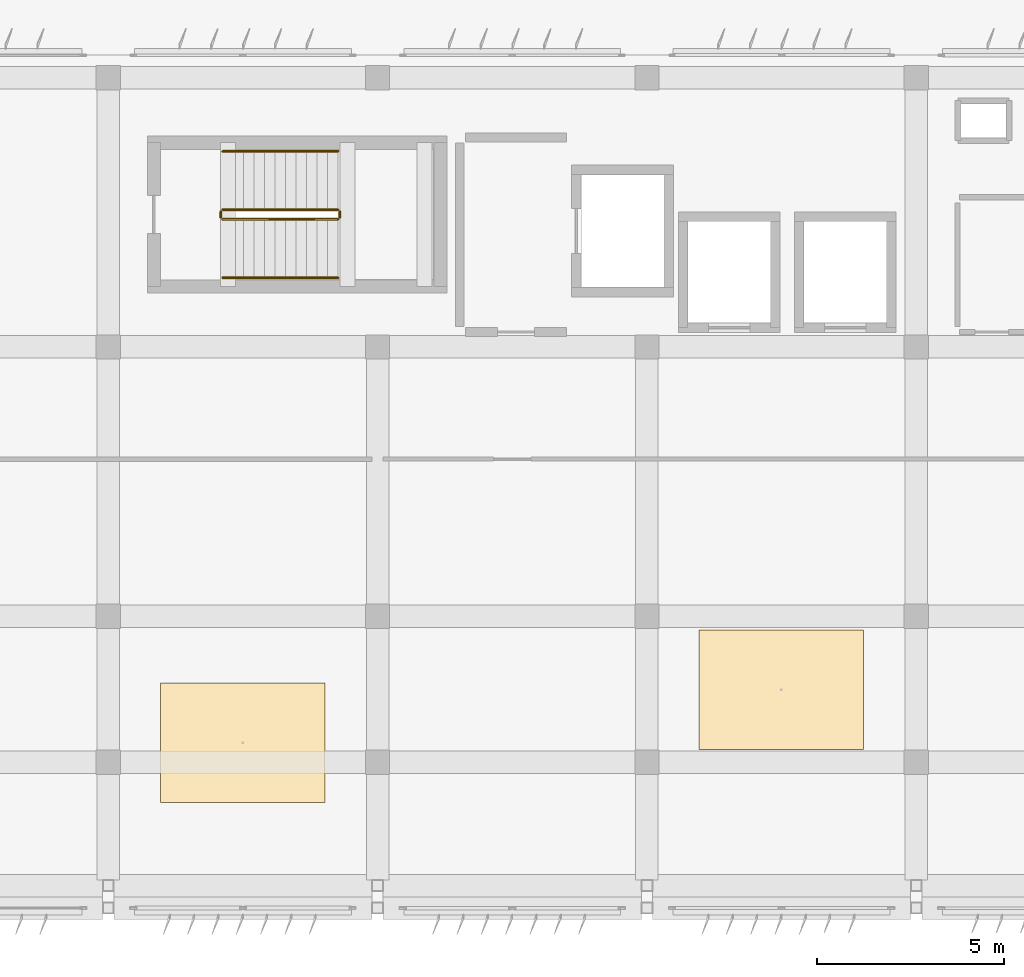
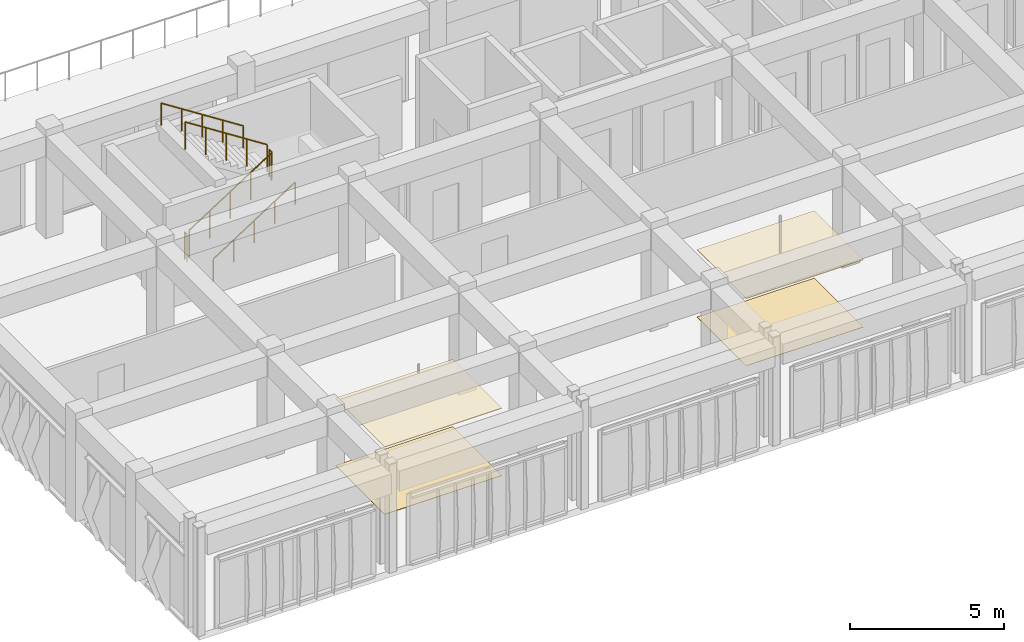
# One storey, part 40 of 42: 6 railings, 4 coverings.
"""IFC4 building model written with IfcOpenShell, lengths in metres."""

from ifc_helpers import new_model, si_unit, direction, frame, origin, origin_2d, place, context, subcontext, project, spatial, rectangle, circle, extrude, material, layer, layer_set, type_object, element, save


model = new_model("IFC4")

# Units and contexts
model_context = context("Model", 3, precision=1e-05, world=origin(), true_north=direction((0.0, 1.0)))
body_context = subcontext(model_context, "Body", "Model", "MODEL_VIEW")
ifc_project = project(units=[si_unit("LENGTHUNIT", "METRE"), si_unit("AREAUNIT", "SQUARE_METRE"), si_unit("VOLUMEUNIT", "CUBIC_METRE"), si_unit("PLANEANGLEUNIT", "RADIAN"), si_unit("MASSUNIT", "GRAM", prefix="KILO")], contexts=[model_context])

# Site, building, storey
site_placement = place(None, origin())
site = spatial("IfcSite", under=ifc_project, at=site_placement, CompositionType="ELEMENT")
building_placement = place(site_placement, origin())
building = spatial("IfcBuilding", under=site, at=building_placement, Name="Kazehaya Institute of Natural Sciences", CompositionType="ELEMENT")
storey_placement = place(building_placement, frame((0.0, 0.0, 37.6201171875)))
storey = spatial("IfcBuildingStorey", under=building, at=storey_placement, Name="L08", CompositionType="ELEMENT", Elevation=37.6201171875)

# Coverings
ifc_material_1 = material(Name="Mineral-fibre acoustic ceiling tile")
ifc_layer_1 = layer(ifc_material_1, 0.02490234375, Name="Mineral-fibre acoustic ceiling tile")
ifc_layer_set_1 = layer_set([ifc_layer_1], Name="Mineral-fibre acoustic ceiling tile")
covering_type_1 = type_object("IfcCoveringType", Name="COV-CEIL-AC", PredefinedType="CEILING", material=ifc_layer_set_1)
for number, where, z_axis, x_axis, name in (
    (1, (65.39892578125, 10.621826171875, 2.66748046875), (0.0, 0.0, 1.0), (1.0, 0.0, 0.0), "L08 Analytical Instrumentation Laboratory ceiling 69"),
    (2, (79.78759765625, 12.0341796875, 2.66748046875), (0.0, 0.0, 1.0), (1.0, 0.0, 0.0), "L08 Structural Biology Suite ceiling 70"),
):
    element("IfcCovering", number, at=place(storey_placement, frame(where, z_axis=z_axis, x_axis=x_axis)), inside=storey, type_object=covering_type_1, Name=name, PredefinedType="CEILING", context=body_context, shape_type="SweptSolid", body=[
        extrude(rectangle(XDim=4.39990234375, YDim=3.199951171875, at=origin_2d()), origin(), (0.0, 0.0, 1.0), 0.02490234375),
    ])
ifc_material_2 = material(Name="Seamless chemical-resistant epoxy flooring")
ifc_layer_2 = layer(ifc_material_2, 0.014892578125, Name="Seamless chemical-resistant epoxy flooring")
ifc_layer_set_2 = layer_set([ifc_layer_2], Name="Seamless chemical-resistant epoxy flooring")
covering_type_2 = type_object("IfcCoveringType", Name="COV-FLR-EPX", PredefinedType="FLOORING", material=ifc_layer_set_2)
for number, where, z_axis, x_axis, name in (
    (3, (65.39892578125, 10.621826171875, 0.0), (0.0, 0.0, 1.0), (1.0, 0.0, 0.0), "L08 Analytical Instrumentation Laboratory finish flooring 69"),
    (4, (79.78759765625, 12.0341796875, 0.0), (0.0, 0.0, 1.0), (1.0, 0.0, 0.0), "L08 Structural Biology Suite finish flooring 70"),
):
    element("IfcCovering", number, at=place(storey_placement, frame(where, z_axis=z_axis, x_axis=x_axis)), inside=storey, type_object=covering_type_2, Name=name, PredefinedType="FLOORING", context=body_context, shape_type="SweptSolid", body=[
        extrude(rectangle(XDim=4.39990234375, YDim=3.199951171875, at=origin_2d()), origin(), (0.0, 0.0, 1.0), 0.014892578125),
    ])

# Railings
ifc_material_3 = material(Name="Structural steel SN490B", Category="steel")
railing_type_1 = type_object("IfcRailingType", Name="RL-STAIR-GRD", PredefinedType="GUARDRAIL", material=ifc_material_3)
railing_1_placement = place(storey_placement, frame((64.860107421875, 24.610107421875, 0.179931640625)))
element("IfcRailing", 5, at=railing_1_placement, inside=storey, type_object=railing_type_1, Name="L08 ST-1 stair guard 1", PredefinedType="GUARDRAIL", context=body_context, shape_type="SweptSolid", body=[
    extrude(circle(Radius=0.02392578125, at=origin_2d()), frame((0.0, 0.0, 1.076171875), z_axis=(0.841167642724, 0.0, 0.540774441735), x_axis=(0.0, 1.0, 0.0)), (0.0, 0.0, 1.0), 3.661376953125),
    extrude(circle(Radius=0.02099609375, at=origin_2d()), origin(), (0.0, 0.0, 1.0), 1.052001953125),
    extrude(circle(Radius=0.02099609375, at=origin_2d()), frame((0.77001953125, 0.0, 0.4951171875)), (0.0, 0.0, 1.0), 1.052001953125),
    extrude(circle(Radius=0.02099609375, at=origin_2d()), frame((1.5400390625, 0.0, 0.989990234375)), (0.0, 0.0, 1.0), 1.052001953125),
    extrude(circle(Radius=0.02099609375, at=origin_2d()), frame((2.309814453125, 0.0, 1.48486328125)), (0.0, 0.0, 1.0), 1.052001953125),
    extrude(circle(Radius=0.02099609375, at=origin_2d()), frame((3.079833984375, 0.0, 1.97998046875)), (0.0, 0.0, 1.0), 1.052001953125),
])
railing_2_placement = place(storey_placement, frame((67.989990234375, 24.659912109375, 2.159912109375)))
element("IfcRailing", 6, at=railing_2_placement, inside=storey, type_object=railing_type_1, Name="L08 ST-1 stair guard 2", PredefinedType="GUARDRAIL", context=body_context, shape_type="SweptSolid", body=[
    extrude(circle(Radius=0.02392578125, at=origin_2d()), frame((0.0, 0.0, 1.076171875), z_axis=(0.0, 1.0, 0.0), x_axis=(-1.0, 0.0, 0.0)), (0.0, 0.0, 1.0), 0.16015625),
    extrude(circle(Radius=0.02099609375, at=origin_2d()), origin(), (0.0, 0.0, 1.0), 1.052001953125),
    extrude(circle(Radius=0.02099609375, at=origin_2d()), frame((0.0, 0.16015625, 0.0)), (0.0, 0.0, 1.0), 1.052001953125),
])
railing_3_placement = place(storey_placement, frame((67.93994140625, 24.8701171875, 2.33984375)))
element("IfcRailing", 7, at=railing_3_placement, inside=storey, type_object=railing_type_1, Name="L08 ST-1 stair guard 3", PredefinedType="GUARDRAIL", context=body_context, shape_type="SweptSolid", body=[
    extrude(circle(Radius=0.02392578125, at=origin_2d()), frame((0.0, 0.0, 1.076171875), z_axis=(-0.841167642724, 0.0, 0.540774441735), x_axis=(0.0, -1.0, 0.0)), (0.0, 0.0, 1.0), 3.661376953125),
    extrude(circle(Radius=0.02099609375, at=origin_2d()), origin(), (0.0, 0.0, 1.0), 1.052001953125),
    extrude(circle(Radius=0.02099609375, at=origin_2d()), frame((-0.77001953125, 0.0, 0.4951171875)), (0.0, 0.0, 1.0), 1.052001953125),
    extrude(circle(Radius=0.02099609375, at=origin_2d()), frame((-1.5400390625, 0.0, 0.989990234375)), (0.0, 0.0, 1.0), 1.052001953125),
    extrude(circle(Radius=0.02099609375, at=origin_2d()), frame((-2.309814453125, 0.0, 1.48486328125)), (0.0, 0.0, 1.0), 1.052001953125),
    extrude(circle(Radius=0.02099609375, at=origin_2d()), frame((-3.079833984375, 0.0, 1.97998046875)), (0.0, 0.0, 1.0), 1.052001953125),
])
railing_4_placement = place(storey_placement, frame((64.81005859375, 24.659912109375, 0.0)))
element("IfcRailing", 8, at=railing_4_placement, inside=storey, type_object=railing_type_1, Name="L08 ST-1 stair guard 4", PredefinedType="GUARDRAIL", context=body_context, shape_type="SweptSolid", body=[
    extrude(circle(Radius=0.02392578125, at=origin_2d()), frame((0.0, 0.0, 1.076171875), z_axis=(0.0, 1.0, 0.0), x_axis=(-1.0, 0.0, 0.0)), (0.0, 0.0, 1.0), 0.16015625),
    extrude(circle(Radius=0.02099609375, at=origin_2d()), origin(), (0.0, 0.0, 1.0), 1.052001953125),
    extrude(circle(Radius=0.02099609375, at=origin_2d()), frame((0.0, 0.16015625, 0.0)), (0.0, 0.0, 1.0), 1.052001953125),
])
ifc_material_4 = material(Name="Brushed stainless steel handrail", Category="steel")
railing_type_2 = type_object("IfcRailingType", Name="RL-STAIR-HND", PredefinedType="HANDRAIL", material=ifc_material_4)
railing_5_placement = place(storey_placement, frame((64.860107421875, 23.050048828125, 0.179931640625)))
element("IfcRailing", 9, at=railing_5_placement, inside=storey, type_object=railing_type_2, Name="L08 ST-1 stair handrail 1", PredefinedType="HANDRAIL", context=body_context, shape_type="SweptSolid", body=[
    extrude(circle(Radius=0.02392578125, at=origin_2d()), frame((0.0, 0.0, 0.8759765625), z_axis=(0.841167642724, 0.0, 0.540774441735), x_axis=(0.0, 1.0, 0.0)), (0.0, 0.0, 1.0), 3.661376953125),
    extrude(circle(Radius=0.02099609375, at=origin_2d()), origin(), (0.0, 0.0, 1.0), 0.851806640625),
    extrude(circle(Radius=0.02099609375, at=origin_2d()), frame((0.77001953125, 0.0, 0.4951171875)), (0.0, 0.0, 1.0), 0.851806640625),
    extrude(circle(Radius=0.02099609375, at=origin_2d()), frame((1.5400390625, 0.0, 0.989990234375)), (0.0, 0.0, 1.0), 0.851806640625),
    extrude(circle(Radius=0.02099609375, at=origin_2d()), frame((2.309814453125, 0.0, 1.48486328125)), (0.0, 0.0, 1.0), 0.851806640625),
    extrude(circle(Radius=0.02099609375, at=origin_2d()), frame((3.079833984375, 0.0, 1.97998046875)), (0.0, 0.0, 1.0), 0.851806640625),
])
railing_6_placement = place(storey_placement, frame((67.93994140625, 26.429931640625, 2.33984375)))
element("IfcRailing", 10, at=railing_6_placement, inside=storey, type_object=railing_type_2, Name="L08 ST-1 stair handrail 2", PredefinedType="HANDRAIL", context=body_context, shape_type="SweptSolid", body=[
    extrude(circle(Radius=0.02392578125, at=origin_2d()), frame((0.0, 0.0, 0.8759765625), z_axis=(-0.841167642724, 0.0, 0.540774441735), x_axis=(0.0, -1.0, 0.0)), (0.0, 0.0, 1.0), 3.661376953125),
    extrude(circle(Radius=0.02099609375, at=origin_2d()), origin(), (0.0, 0.0, 1.0), 0.851806640625),
    extrude(circle(Radius=0.02099609375, at=origin_2d()), frame((-0.77001953125, 0.0, 0.4951171875)), (0.0, 0.0, 1.0), 0.851806640625),
    extrude(circle(Radius=0.02099609375, at=origin_2d()), frame((-1.5400390625, 0.0, 0.989990234375)), (0.0, 0.0, 1.0), 0.851806640625),
    extrude(circle(Radius=0.02099609375, at=origin_2d()), frame((-2.309814453125, 0.0, 1.48486328125)), (0.0, 0.0, 1.0), 0.851806640625),
    extrude(circle(Radius=0.02099609375, at=origin_2d()), frame((-3.079833984375, 0.0, 1.97998046875)), (0.0, 0.0, 1.0), 0.851806640625),
])

save(model, "model.ifc")
